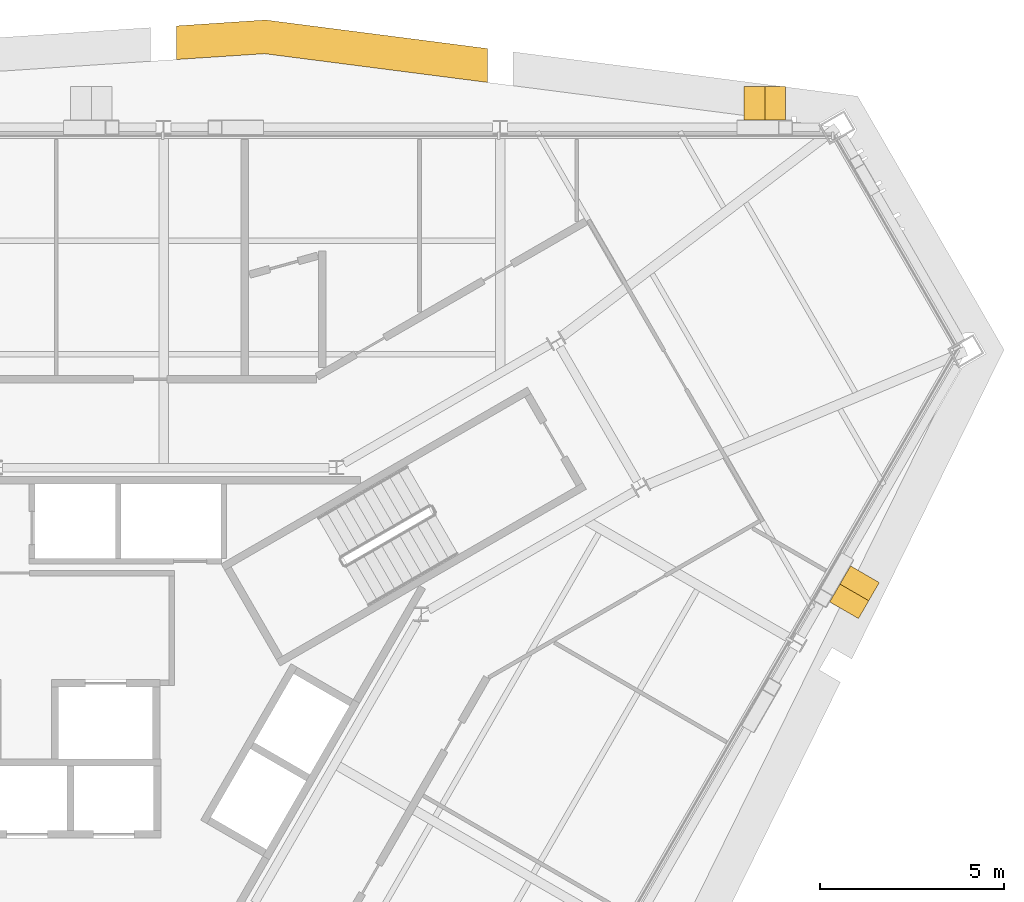
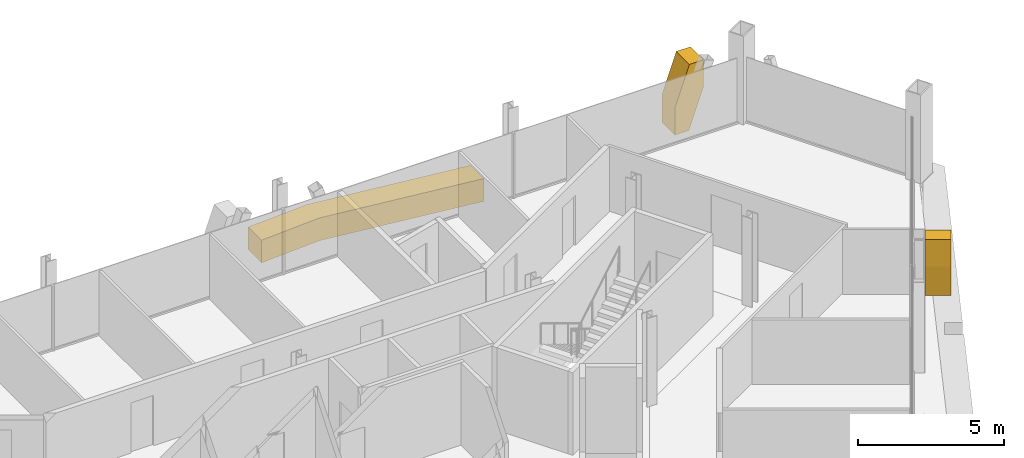
# One storey, part 15 of 15: 3 coverings.
"""IFC4 building model written with IfcOpenShell, lengths in metres."""

from ifc_helpers import new_model, si_unit, direction, frame, origin, place, context, subcontext, project, spatial, polyline, outline, extrude, material, layer, layer_set, type_object, element, save


model = new_model("IFC4")

# Units and contexts
model_context = context("Model", 3, precision=1e-05, world=origin(), true_north=direction((0.0, 1.0)))
body_context = subcontext(model_context, "Body", "Model", "MODEL_VIEW")
ifc_project = project(units=[si_unit("LENGTHUNIT", "METRE"), si_unit("AREAUNIT", "SQUARE_METRE"), si_unit("VOLUMEUNIT", "CUBIC_METRE"), si_unit("PLANEANGLEUNIT", "RADIAN"), si_unit("MASSUNIT", "GRAM", prefix="KILO")], contexts=[model_context])

# Site, building, storey
site_placement = place(None, origin())
site = spatial("IfcSite", under=ifc_project, at=site_placement, CompositionType="ELEMENT")
building_placement = place(site_placement, origin())
building = spatial("IfcBuilding", under=site, at=building_placement, Name="Verrane Prism Tower", CompositionType="ELEMENT")
storey_placement = place(building_placement, frame((0.0, 0.0, 250.800048828125)))
storey = spatial("IfcBuildingStorey", under=building, at=storey_placement, Name="L63", CompositionType="ELEMENT", Elevation=250.800048828125)

# Coverings
ifc_material_1 = material(Name="Warm limestone cladding", Category="masonry")
ifc_layer_1 = layer(ifc_material_1, 0.89990234375)
ifc_layer_set_1 = layer_set([ifc_layer_1], Name="Stone brace fin 900")
covering_type_1 = type_object("IfcCoveringType", Name="Stone brace fin 900", PredefinedType="CLADDING", material=ifc_layer_set_1)
covering_1_placement = place(storey_placement, frame((20.3173828125, 17.88330078125, 0.0), z_axis=(0.0, 0.0, 1.0), x_axis=(1.0, 0.0, 0.0)))
element("IfcCovering", 1, at=covering_1_placement, inside=storey, type_object=covering_type_1, Name="Stone brace fin N1 L63", PredefinedType="CLADDING", context=body_context, shape_type="SweptSolid", body=[
    extrude(outline(polyline([(1.1279296875, 2.75), (0.569580078125, 2.75), (0.0, 1.135498046875), (0.0, 0.0), (0.5537109375, 0.0), (1.1279296875, 1.627197265625), (1.1279296875, 2.75)])), frame((0.0, 0.449951171875, 0.0), z_axis=(0.0, -1.0, 0.0), x_axis=(1.0, 0.0, 0.0)), (0.0, 0.0, 1.0), 0.89990234375),
])
covering_2_placement = place(storey_placement, frame((23.596923828125, 5.106201171875, 0.0), z_axis=(0.0, 0.0, 1.0), x_axis=(-0.500284814302, -0.865860903713, 0.0)))
element("IfcCovering", 2, at=covering_2_placement, inside=storey, type_object=covering_type_1, Name="Stone brace fin SE5 L63", PredefinedType="CLADDING", context=body_context, shape_type="SweptSolid", body=[
    extrude(outline(polyline([(1.12744140625, 2.75), (0.5693359375, 2.75), (0.0, 1.135986328125), (0.0, 0.0), (0.5537109375, 0.0), (1.12744140625, 1.626708984375), (1.12744140625, 2.75)])), frame((0.0, 0.449951171875, 0.0), z_axis=(0.0, -1.0, 0.0), x_axis=(1.0, 0.0, 0.0)), (0.0, 0.0, 1.0), 0.89990234375),
])
ifc_material_2 = material(Name="Warm limestone cladding", Category="masonry")
ifc_layer_2 = layer(ifc_material_2, 0.449951171875)
ifc_layer_set_2 = layer_set([ifc_layer_2], Name="Stone spandrel band 450")
covering_type_2 = type_object("IfcCoveringType", Name="Stone spandrel band 450", PredefinedType="CLADDING", material=ifc_layer_set_2)
covering_3_placement = place(storey_placement, frame((0.0, 0.0, -0.949951171875)))
element("IfcCovering", 3, at=covering_3_placement, inside=storey, type_object=covering_type_2, Name="Stone spandrel band L63 part 8", PredefinedType="CLADDING", context=body_context, shape_type="SweptSolid", body=[
    extrude(outline(polyline([(4.91748046875, 19.983154296875), (4.91748046875, 19.0712890625), (7.307861328125, 19.22998046875), (13.352294921875, 18.451416015625), (13.352294921875, 19.368896484375), (7.336181640625, 20.143798828125), (4.91748046875, 19.983154296875)])), origin(), (0.0, 0.0, 1.0), 0.949951171875),
])

save(model, "model.ifc")
